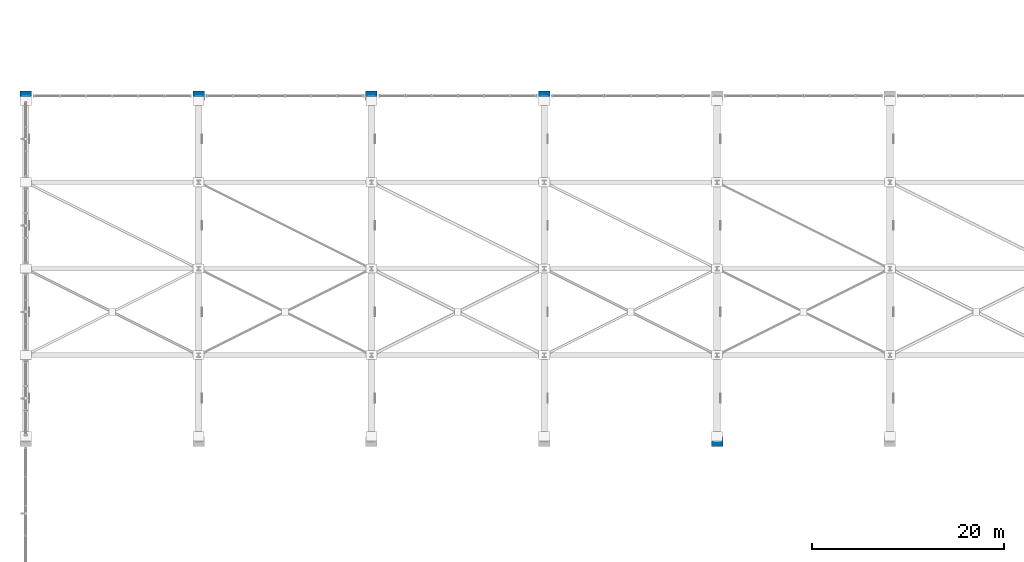
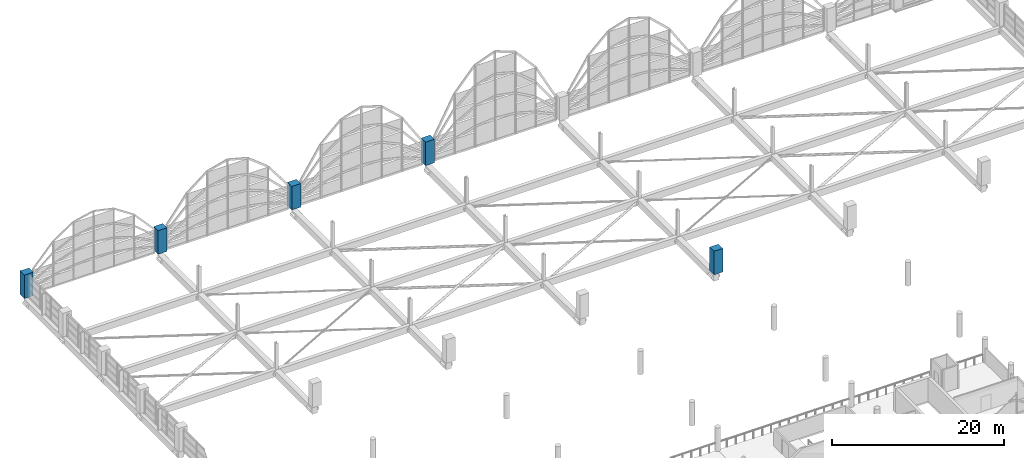
# One storey, part 7 of 116: 5 columns.
"""IFC4 building model written with IfcOpenShell, lengths in metres."""

from ifc_helpers import new_model, si_unit, direction, frame, origin, origin_2d, place, context, subcontext, project, spatial, rectangle, extrude, material, material_profile, profile_set, type_object, element, save


model = new_model("IFC4")

# Units and contexts
model_context = context("Model", 3, precision=1e-05, world=origin(), true_north=direction((0.0, 1.0)))
body_context = subcontext(model_context, "Body", "Model", "MODEL_VIEW")
ifc_project = project(units=[si_unit("LENGTHUNIT", "METRE"), si_unit("AREAUNIT", "SQUARE_METRE"), si_unit("VOLUMEUNIT", "CUBIC_METRE"), si_unit("PLANEANGLEUNIT", "RADIAN"), si_unit("MASSUNIT", "GRAM", prefix="KILO")], contexts=[model_context])

# Site, building, storey
site_placement = place(None, origin())
site = spatial("IfcSite", under=ifc_project, at=site_placement, CompositionType="ELEMENT")
building_placement = place(site_placement, origin())
building = spatial("IfcBuilding", under=site, at=building_placement, Name="Chuanluo Vaults Station", CompositionType="ELEMENT")
storey_placement = place(building_placement, frame((0.0, 0.0, 10.800048828125)))
storey = spatial("IfcBuildingStorey", under=building, at=storey_placement, Name="L02", CompositionType="ELEMENT", Elevation=10.800048828125)

# Columns
ifc_material = material(Name="Concrete C50", Category="concrete")
ifc_material_profile = material_profile(ifc_material, rectangle(XDim=1.199951171875, YDim=1.0, at=origin_2d()))
ifc_profile_set = profile_set([ifc_material_profile], Name="Concrete C50")
column_type = type_object("IfcColumnType", Name="COL-SRC-1200x1000", PredefinedType="COLUMN", material=ifc_profile_set)
for number, where, z_axis, x_axis, name in (
    (1, (0.0, 103.5, 0.0), (0.0, 0.0, 1.0), (1.0, 0.0, 0.0), "Column L02-012"),
    (2, (18.0, 103.5, 0.0), (0.0, 0.0, 1.0), (1.0, 0.0, 0.0), "Column L02-023"),
    (3, (36.0, 103.5, 0.0), (0.0, 0.0, 1.0), (1.0, 0.0, 0.0), "Column L02-032"),
    (4, (54.0, 103.5, 0.0), (0.0, 0.0, 1.0), (1.0, 0.0, 0.0), "Column L02-041"),
    (5, (72.0, 67.5, 0.0), (0.0, 0.0, 1.0), (1.0, 0.0, 0.0), "Column L02-049"),
):
    element("IfcColumn", number, at=place(storey_placement, frame(where, z_axis=z_axis, x_axis=x_axis)), inside=storey, type_object=column_type, Name=name, PredefinedType="COLUMN", context=body_context, shape_type="SweptSolid", body=[
        extrude(rectangle(XDim=1.199951171875, YDim=1.0, at=origin_2d()), origin(), (0.0, 0.0, 1.0), 3.349853515625),
    ])

save(model, "model.ifc")
